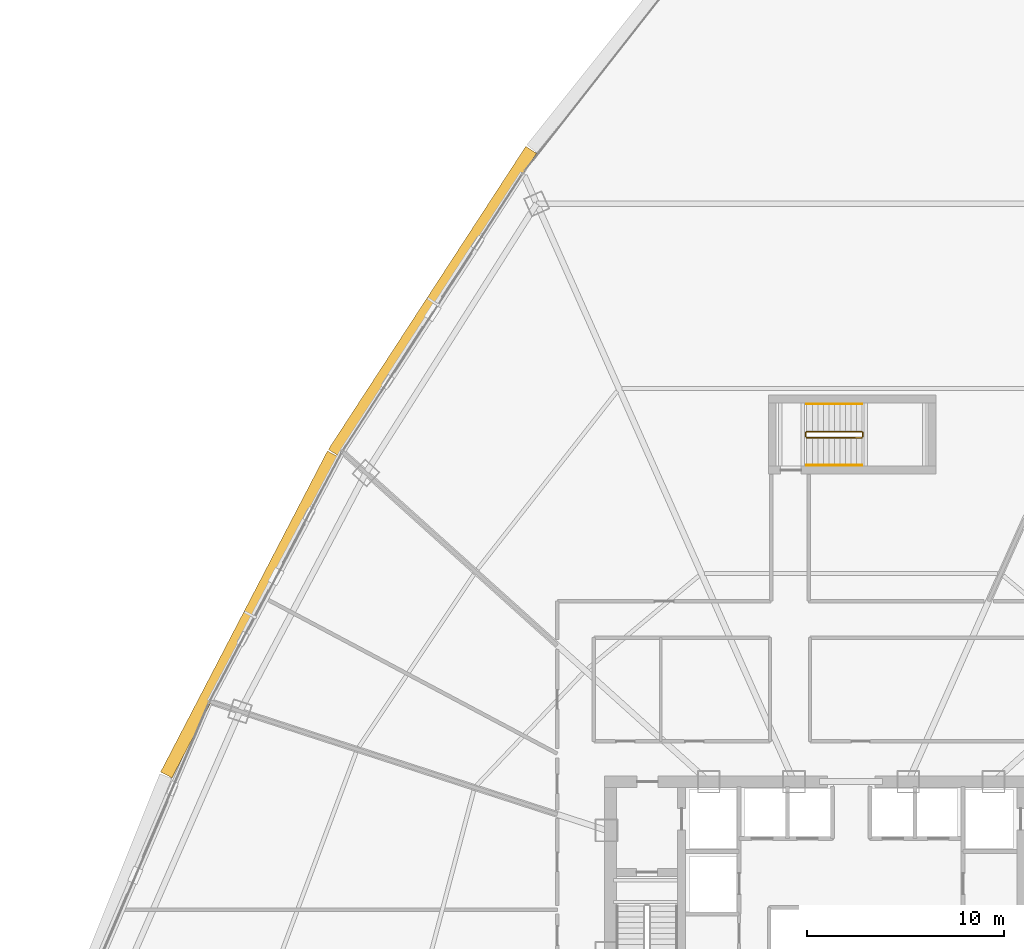
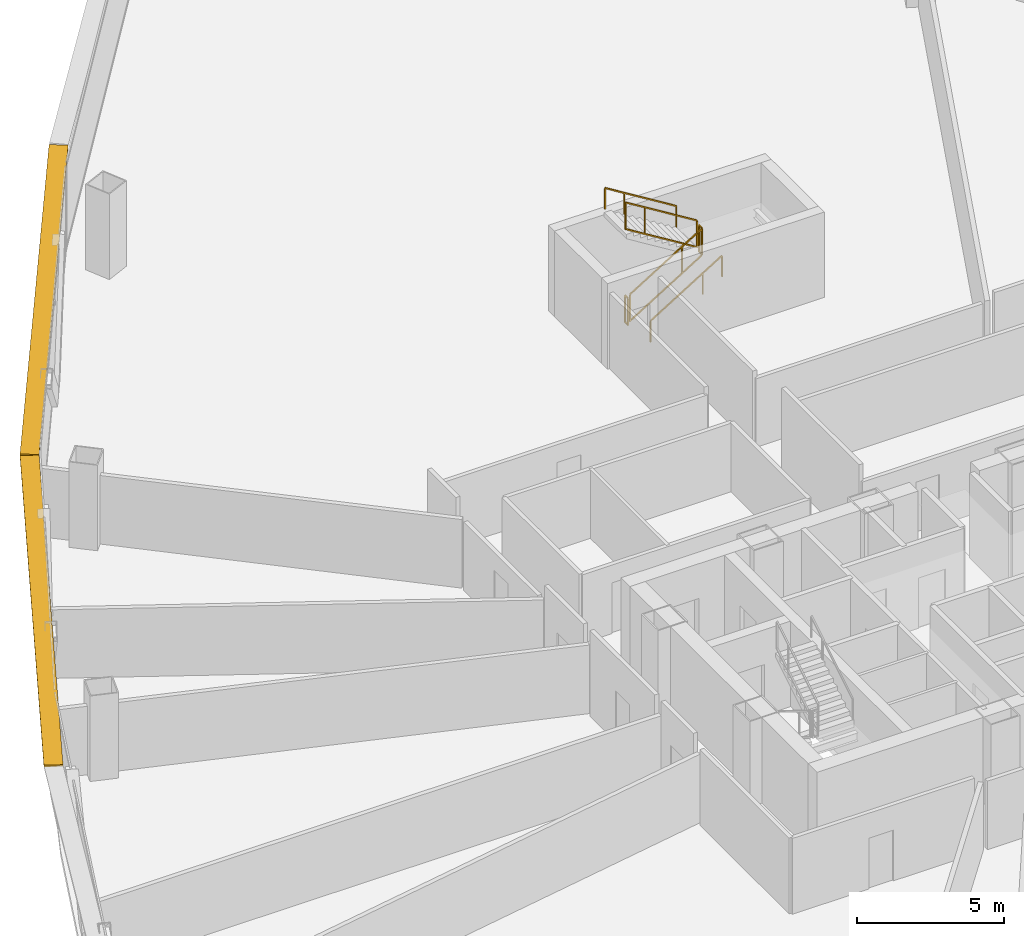
# One storey, part 35 of 36: 6 railings, 2 shading devices.
"""IFC4 building model written with IfcOpenShell, lengths in metres."""

from ifc_helpers import new_model, si_unit, direction, frame, origin, origin_2d, place, context, subcontext, project, spatial, rectangle, extrude, source, transform, mapped, material, layer, layer_set, type_object, element, save


model = new_model("IFC4")

# Units and contexts
model_context = context("Model", 3, precision=1e-05, world=origin(), true_north=direction((0.0, 1.0)))
body_context = subcontext(model_context, "Body", "Model", "MODEL_VIEW")
ifc_project = project(units=[si_unit("LENGTHUNIT", "METRE"), si_unit("AREAUNIT", "SQUARE_METRE"), si_unit("VOLUMEUNIT", "CUBIC_METRE"), si_unit("PLANEANGLEUNIT", "RADIAN"), si_unit("MASSUNIT", "GRAM", prefix="KILO"), si_unit("THERMODYNAMICTEMPERATUREUNIT", "KELVIN"), si_unit("POWERUNIT", "WATT")], contexts=[model_context])

# Site, building, storey
site_placement = place(None, origin())
site = spatial("IfcSite", under=ifc_project, at=site_placement, CompositionType="ELEMENT")
building_placement = place(site_placement, origin())
building = spatial("IfcBuilding", under=site, at=building_placement, Name="Yunzhuo Pagoda Commons", CompositionType="ELEMENT")
storey_placement = place(building_placement, frame((0.0, 0.0, 103.97998046875)))
storey = spatial("IfcBuildingStorey", under=building, at=storey_placement, Name="L26", CompositionType="ELEMENT", Elevation=103.97998046875)

# Railings
ifc_material = material(Name="Anodized aluminium 6063-T6", Category="aluminium")
railing_type_1 = type_object("IfcRailingType", Name="GR-ST3 North Well Guardrail 1155", PredefinedType="GUARDRAIL", material=ifc_material)
railing_1_placement = place(storey_placement, frame((45.75, 57.64990234375, 0.1728515625)))
element("IfcRailing", 1, at=railing_1_placement, inside=storey, type_object=railing_type_1, Name="L26 ST3 stair guard 1", PredefinedType="GUARDRAIL", context=body_context, shape_type="SweptSolid", body=[
    extrude(rectangle(XDim=0.048095703125, YDim=0.048095703125, at=origin_2d()), frame((0.0, 0.0, 1.1259765625), z_axis=(0.851122791225, 0.0, 0.524966660138), x_axis=(0.0, 1.0, 0.0)), (0.0, 0.0, 1.0), 3.289794921875),
    extrude(rectangle(XDim=0.048095703125, YDim=0.048095703125, at=origin_2d()), frame((0.0, 0.0, 0.02392578125), z_axis=(0.851122791225, 0.0, 0.524966660138), x_axis=(0.0, 1.0, 0.0)), (0.0, 0.0, 1.0), 3.289794921875),
    extrude(rectangle(XDim=0.0419921875, YDim=0.0419921875, at=origin_2d()), origin(), (0.0, 0.0, 1.0), 1.101806640625),
    extrude(rectangle(XDim=0.0419921875, YDim=0.0419921875, at=origin_2d()), frame((2.042724609375, 0.0, 1.260009765625)), (0.0, 0.0, 1.0), 1.101806640625),
    extrude(rectangle(XDim=0.0419921875, YDim=0.0419921875, at=origin_2d()), frame((2.800048828125, 0.0, 1.72705078125)), (0.0, 0.0, 1.0), 1.101806640625),
])
railing_2_placement = place(storey_placement, frame((48.60009765625, 57.699951171875, 1.89990234375)))
element("IfcRailing", 2, at=railing_2_placement, inside=storey, type_object=railing_type_1, Name="L26 ST3 stair guard 2", PredefinedType="GUARDRAIL", context=body_context, shape_type="SweptSolid", body=[
    extrude(rectangle(XDim=0.048095703125, YDim=0.048095703125, at=origin_2d()), frame((0.0, 0.0, 1.1259765625), z_axis=(0.0, 1.0, 0.0), x_axis=(-1.0, 0.0, 0.0)), (0.0, 0.0, 1.0), 0.199951171875),
    extrude(rectangle(XDim=0.048095703125, YDim=0.048095703125, at=origin_2d()), frame((0.0, 0.0, 0.02392578125), z_axis=(0.0, 1.0, 0.0), x_axis=(-1.0, 0.0, 0.0)), (0.0, 0.0, 1.0), 0.199951171875),
    extrude(rectangle(XDim=0.0419921875, YDim=0.0419921875, at=origin_2d()), origin(), (0.0, 0.0, 1.0), 1.101806640625),
    extrude(rectangle(XDim=0.0419921875, YDim=0.0419921875, at=origin_2d()), frame((0.0, 0.199951171875, 0.0)), (0.0, 0.0, 1.0), 1.101806640625),
])
railing_3_placement = place(storey_placement, frame((48.550048828125, 57.949951171875, 2.07275390625)))
element("IfcRailing", 3, at=railing_3_placement, inside=storey, type_object=railing_type_1, Name="L26 ST3 stair guard 3", PredefinedType="GUARDRAIL", context=body_context, shape_type="SweptSolid", body=[
    extrude(rectangle(XDim=0.048095703125, YDim=0.048095703125, at=origin_2d()), frame((0.0, 0.0, 1.1259765625), z_axis=(-0.851089632645, 0.0, 0.525020415988), x_axis=(0.0, -1.0, 0.0)), (0.0, 0.0, 1.0), 3.2900390625),
    extrude(rectangle(XDim=0.048095703125, YDim=0.048095703125, at=origin_2d()), frame((0.0, 0.0, 0.02392578125), z_axis=(-0.851089632645, 0.0, 0.525020415988), x_axis=(0.0, -1.0, 0.0)), (0.0, 0.0, 1.0), 3.2900390625),
    extrude(rectangle(XDim=0.0419921875, YDim=0.0419921875, at=origin_2d()), origin(), (0.0, 0.0, 1.0), 1.101806640625),
    extrude(rectangle(XDim=0.0419921875, YDim=0.0419921875, at=origin_2d()), frame((-2.042724609375, 0.0, 1.260009765625)), (0.0, 0.0, 1.0), 1.101806640625),
    extrude(rectangle(XDim=0.0419921875, YDim=0.0419921875, at=origin_2d()), frame((-2.800048828125, 0.0, 1.727294921875)), (0.0, 0.0, 1.0), 1.101806640625),
])
railing_4_placement = place(storey_placement, frame((45.699951171875, 57.699951171875, 0.0)))
element("IfcRailing", 4, at=railing_4_placement, inside=storey, type_object=railing_type_1, Name="L26 ST3 stair guard 4", PredefinedType="GUARDRAIL", context=body_context, shape_type="SweptSolid", body=[
    extrude(rectangle(XDim=0.048095703125, YDim=0.048095703125, at=origin_2d()), frame((0.0, 0.0, 1.1259765625), z_axis=(0.0, 1.0, 0.0), x_axis=(-1.0, 0.0, 0.0)), (0.0, 0.0, 1.0), 0.199951171875),
    extrude(rectangle(XDim=0.048095703125, YDim=0.048095703125, at=origin_2d()), frame((0.0, 0.0, 0.02392578125), z_axis=(0.0, 1.0, 0.0), x_axis=(-1.0, 0.0, 0.0)), (0.0, 0.0, 1.0), 0.199951171875),
    extrude(rectangle(XDim=0.0419921875, YDim=0.0419921875, at=origin_2d()), origin(), (0.0, 0.0, 1.0), 1.101806640625),
    extrude(rectangle(XDim=0.0419921875, YDim=0.0419921875, at=origin_2d()), frame((0.0, 0.199951171875, 0.0)), (0.0, 0.0, 1.0), 1.101806640625),
])
railing_type_2 = type_object("IfcRailingType", Name="HR-ST3 North Stair Handrail 900", PredefinedType="HANDRAIL", material=ifc_material)
railing_5_placement = place(storey_placement, frame((45.75, 56.25, 0.1728515625)))
element("IfcRailing", 5, at=railing_5_placement, inside=storey, type_object=railing_type_2, Name="L26 ST3 stair handrail 1", PredefinedType="HANDRAIL", context=body_context, shape_type="SweptSolid", body=[
    extrude(rectangle(XDim=0.048095703125, YDim=0.048095703125, at=origin_2d()), frame((0.0, 0.0, 0.8759765625), z_axis=(0.851122791225, 0.0, 0.524966660138), x_axis=(0.0, 1.0, 0.0)), (0.0, 0.0, 1.0), 3.289794921875),
    extrude(rectangle(XDim=0.0419921875, YDim=0.0419921875, at=origin_2d()), origin(), (0.0, 0.0, 1.0), 0.851806640625),
    extrude(rectangle(XDim=0.0419921875, YDim=0.0419921875, at=origin_2d()), frame((2.042724609375, 0.0, 1.260009765625)), (0.0, 0.0, 1.0), 0.851806640625),
    extrude(rectangle(XDim=0.0419921875, YDim=0.0419921875, at=origin_2d()), frame((2.800048828125, 0.0, 1.72705078125)), (0.0, 0.0, 1.0), 0.851806640625),
])
railing_6_placement = place(storey_placement, frame((48.550048828125, 59.35009765625, 2.07275390625)))
element("IfcRailing", 6, at=railing_6_placement, inside=storey, type_object=railing_type_2, Name="L26 ST3 stair handrail 2", PredefinedType="HANDRAIL", context=body_context, shape_type="SweptSolid", body=[
    extrude(rectangle(XDim=0.048095703125, YDim=0.048095703125, at=origin_2d()), frame((0.0, 0.0, 0.8759765625), z_axis=(-0.851089632645, 0.0, 0.525020415988), x_axis=(0.0, -1.0, 0.0)), (0.0, 0.0, 1.0), 3.2900390625),
    extrude(rectangle(XDim=0.0419921875, YDim=0.0419921875, at=origin_2d()), origin(), (0.0, 0.0, 1.0), 0.851806640625),
    extrude(rectangle(XDim=0.0419921875, YDim=0.0419921875, at=origin_2d()), frame((-2.042724609375, 0.0, 1.260009765625)), (0.0, 0.0, 1.0), 0.851806640625),
    extrude(rectangle(XDim=0.0419921875, YDim=0.0419921875, at=origin_2d()), frame((-2.800048828125, 0.0, 1.727294921875)), (0.0, 0.0, 1.0), 0.851806640625),
])

# Shading devices
ifc_layer = layer(ifc_material, 0.080078125)
ifc_layer_set = layer_set([ifc_layer], Name="Anodized aluminium 6063-T6")
shading_device_type = type_object("IfcShadingDeviceType", Name="SH-SUN1 Pagoda Horizontal Sunshade Eave 650", PredefinedType="USERDEFINED", material=ifc_layer_set)
shared_shape_1 = source(origin(), body_context, "Body", "SweptSolid", [
    extrude(rectangle(XDim=18.341796875, YDim=0.64990234375, at=origin_2d()), origin(), (0.0, 0.0, 1.0), 0.080078125),
])
shading_device_1_placement = place(storey_placement, frame((17.502685546875, 48.678955078125, 3.4599609375), z_axis=(0.0, 0.0, 1.0), x_axis=(-0.461206683033, -0.88729273384, 0.0)))
element("IfcShadingDevice", 7, at=shading_device_1_placement, inside=storey, type_object=shading_device_type, Name="L26 horizontal pagoda sunshade eave F3.3", ObjectType="SUNSHADE", PredefinedType="USERDEFINED", context=body_context, shape_type="MappedRepresentation", body=[
    mapped(shared_shape_1, transform((0.0, 0.0, 0.0), scale=1.0)),
])
shared_shape_2 = source(origin(), body_context, "Body", "SweptSolid", [
    extrude(rectangle(XDim=18.342041015625, YDim=0.64990234375, at=origin_2d()), origin(), (0.0, 0.0, 1.0), 0.080078125),
])
shading_device_2_placement = place(storey_placement, frame((26.7705078125, 64.555419921875, 3.4599609375), z_axis=(0.0, 0.0, 1.0), x_axis=(-0.545838756973, -0.837890238269, 0.0)))
element("IfcShadingDevice", 8, at=shading_device_2_placement, inside=storey, type_object=shading_device_type, Name="L26 horizontal pagoda sunshade eave F3.2", ObjectType="SUNSHADE", PredefinedType="USERDEFINED", context=body_context, shape_type="MappedRepresentation", body=[
    mapped(shared_shape_2, transform((0.0, 0.0, 0.0), scale=1.0)),
])

save(model, "model.ifc")
